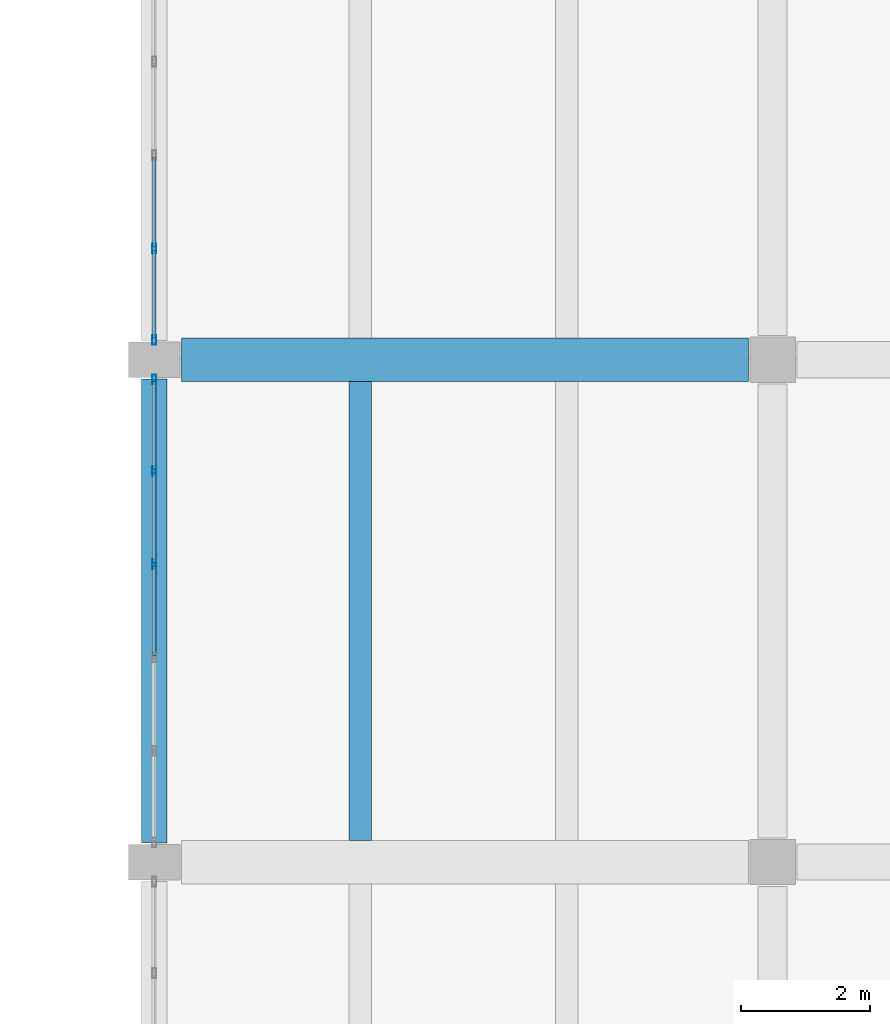
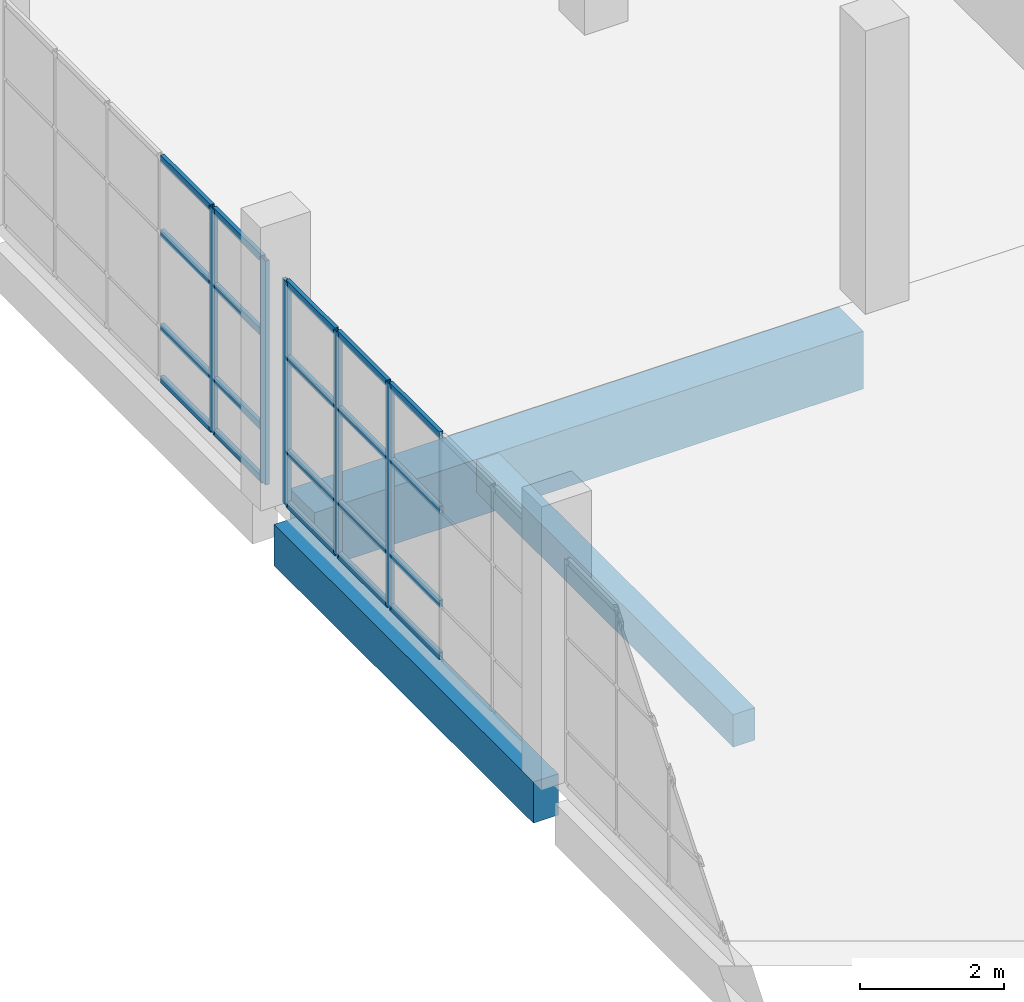
# One storey, part 56 of 91: 25 members, 3 beams, 2 elements without a shape of their own.
"""IFC4 building model written with IfcOpenShell, lengths in metres."""

from ifc_helpers import new_model, si_unit, direction, frame, origin, origin_2d, place, context, subcontext, project, spatial, rectangle, hollow_rectangle, extrude, material, material_profile, profile_set, type_object, element, aggregate, save


model = new_model("IFC4")

# Units and contexts
model_context = context("Model", 3, precision=1e-05, world=origin(), true_north=direction((0.0, 1.0)))
body_context = subcontext(model_context, "Body", "Model", "MODEL_VIEW")
ifc_project = project(units=[si_unit("LENGTHUNIT", "METRE"), si_unit("AREAUNIT", "SQUARE_METRE"), si_unit("VOLUMEUNIT", "CUBIC_METRE"), si_unit("PLANEANGLEUNIT", "RADIAN"), si_unit("MASSUNIT", "GRAM", prefix="KILO")], contexts=[model_context])

# Site, building, storey
site_placement = place(None, origin())
site = spatial("IfcSite", under=ifc_project, at=site_placement, CompositionType="ELEMENT")
building_placement = place(site_placement, origin())
building = spatial("IfcBuilding", under=site, at=building_placement, Name="Pellamere Symphony Hall", CompositionType="ELEMENT")
storey_placement = place(building_placement, frame((0.0, 0.0, 5.39990234375)))
storey = spatial("IfcBuildingStorey", under=building, at=storey_placement, Name="L01", CompositionType="ELEMENT", Elevation=5.39990234375)

# Curtain wall, members
ifc_material_1 = material(Name="Thermally Broken Anodised Aluminium 6063-T6 Curtain Wall", Category="aluminium")
curtain_wall_type = type_object("IfcCurtainWallType", Name="Curtain Wall CW-05 (Artists Wing North Studio Ribbon Curtain Wall)", PredefinedType="NOTDEFINED", material=ifc_material_1)
curtain_wall_1_placement = place(storey_placement, origin())
curtain_wall_1 = element("IfcCurtainWall", 1, at=curtain_wall_1_placement, inside=storey, type_object=curtain_wall_type, Name="Sculpture Court East Wing Curtain Wall (L01 Bay 2)", PredefinedType="NOTDEFINED")
ifc_material_2 = material(Name="Anodised Architectural Aluminium 6063-T6", Category="aluminium")
ifc_material_profile_1 = material_profile(ifc_material_2, hollow_rectangle(XDim=0.06005859375, YDim=0.14990234375, WallThickness=0.00390625, at=origin_2d()), Name="ALU-M60X150X4")
ifc_profile_set_1 = profile_set([ifc_material_profile_1], Name="Anodised Architectural Aluminium 6063-T6")
member_type_1 = type_object("IfcMemberType", Name="Curtain Wall Mullion ML-03 ALU-M60X150X4", PredefinedType="MULLION", material=ifc_profile_set_1)
member_1_placement = place(storey_placement, frame((138.0, 74.22509765625, 0.0), z_axis=(0.0, 0.0, 1.0), x_axis=(-1.0, 0.0, 0.0)))
member_1 = element("IfcMember", 2, at=member_1_placement, type_object=member_type_1, Name="CW5-133 crystal mullion 4", PredefinedType="MULLION", context=body_context, shape_type="SweptSolid", body=[
    extrude(hollow_rectangle(XDim=0.06005859375, YDim=0.14990234375, WallThickness=0.00390625, at=origin_2d()), origin(), (0.0, 0.0, 1.0), 3.800048828125),
])
member_2_placement = place(storey_placement, frame((138.0, 75.675048828125, 0.0), z_axis=(0.0, 0.0, 1.0), x_axis=(-1.0, 0.0, 0.0)))
member_2 = element("IfcMember", 3, at=member_2_placement, type_object=member_type_1, Name="CW5-133 crystal mullion 5", PredefinedType="MULLION", context=body_context, shape_type="SweptSolid", body=[
    extrude(hollow_rectangle(XDim=0.06005859375, YDim=0.14990234375, WallThickness=0.00390625, at=origin_2d()), origin(), (0.0, 0.0, 1.0), 3.800048828125),
])
member_3_placement = place(storey_placement, frame((138.0, 77.094970703125, 0.0), z_axis=(0.0, 0.0, 1.0), x_axis=(-1.0, 0.0, 0.0)))
member_3 = element("IfcMember", 4, at=member_3_placement, type_object=member_type_1, Name="CW5-133 crystal mullion 6", PredefinedType="MULLION", context=body_context, shape_type="SweptSolid", body=[
    extrude(hollow_rectangle(XDim=0.06005859375, YDim=0.14990234375, WallThickness=0.00390625, at=origin_2d()), origin(), (0.0, 0.0, 1.0), 3.800048828125),
])

curtain_wall_2_placement = place(storey_placement, origin())
curtain_wall_2 = element("IfcCurtainWall", 5, at=curtain_wall_2_placement, inside=storey, type_object=curtain_wall_type, Name="Sculpture Court East Wing Curtain Wall (L01 Bay 3)", PredefinedType="NOTDEFINED")
member_4_placement = place(storey_placement, frame((138.0, 77.705078125, 0.0), z_axis=(0.0, 0.0, 1.0), x_axis=(-1.0, 0.0, 0.0)))
member_4 = element("IfcMember", 6, at=member_4_placement, type_object=member_type_1, Name="CW5-134 crystal mullion 1", PredefinedType="MULLION", context=body_context, shape_type="SweptSolid", body=[
    extrude(hollow_rectangle(XDim=0.06005859375, YDim=0.14990234375, WallThickness=0.00390625, at=origin_2d()), origin(), (0.0, 0.0, 1.0), 3.800048828125),
])
member_5_placement = place(storey_placement, frame((138.0, 79.125, 0.0), z_axis=(0.0, 0.0, 1.0), x_axis=(-1.0, 0.0, 0.0)))
member_5 = element("IfcMember", 7, at=member_5_placement, type_object=member_type_1, Name="CW5-134 crystal mullion 2", PredefinedType="MULLION", context=body_context, shape_type="SweptSolid", body=[
    extrude(hollow_rectangle(XDim=0.06005859375, YDim=0.14990234375, WallThickness=0.00390625, at=origin_2d()), origin(), (0.0, 0.0, 1.0), 3.800048828125),
])

# Member
ifc_material_profile_2 = material_profile(ifc_material_2, hollow_rectangle(XDim=0.06005859375, YDim=0.1201171875, WallThickness=0.00390625, at=origin_2d()), Name="ALU-T60X120X4")
ifc_profile_set_2 = profile_set([ifc_material_profile_2], Name="Anodised Architectural Aluminium 6063-T6")
member_type_2 = type_object("IfcMemberType", Name="Curtain Wall Transom TR-03 ALU-T60X120X4", PredefinedType="USERDEFINED", material=ifc_profile_set_2)
member_6_placement = place(storey_placement, frame((138.0, 72.804931640625, 0.030029296875), z_axis=(0.0, 1.0, 0.0), x_axis=(-1.0, 0.0, 0.0)))
member_6 = element("IfcMember", 8, at=member_6_placement, type_object=member_type_2, Name="CW5-133 crystal transom 3.1", ObjectType="TRANSOM", PredefinedType="USERDEFINED", context=body_context, shape_type="SweptSolid", body=[
    extrude(hollow_rectangle(XDim=0.06005859375, YDim=0.1201171875, WallThickness=0.00390625, at=origin_2d()), origin(), (0.0, 0.0, 1.0), 1.39013671875),
])

member_7_placement = place(storey_placement, frame((138.0, 72.804931640625, 0.912109375), z_axis=(0.0, 1.0, 0.0), x_axis=(-1.0, 0.0, 0.0)))
member_7 = element("IfcMember", 9, at=member_7_placement, type_object=member_type_2, Name="CW5-133 crystal transom 3.2", ObjectType="TRANSOM", PredefinedType="USERDEFINED", context=body_context, shape_type="SweptSolid", body=[
    extrude(hollow_rectangle(XDim=0.06005859375, YDim=0.1201171875, WallThickness=0.00390625, at=origin_2d()), origin(), (0.0, 0.0, 1.0), 1.39013671875),
])

member_8_placement = place(storey_placement, frame((138.0, 72.804931640625, 2.508056640625), z_axis=(0.0, 1.0, 0.0), x_axis=(-1.0, 0.0, 0.0)))
member_8 = element("IfcMember", 10, at=member_8_placement, type_object=member_type_2, Name="CW5-133 crystal transom 3.3", ObjectType="TRANSOM", PredefinedType="USERDEFINED", context=body_context, shape_type="SweptSolid", body=[
    extrude(hollow_rectangle(XDim=0.06005859375, YDim=0.1201171875, WallThickness=0.00390625, at=origin_2d()), origin(), (0.0, 0.0, 1.0), 1.39013671875),
])

member_9_placement = place(storey_placement, frame((138.0, 72.804931640625, 3.77001953125), z_axis=(0.0, 1.0, 0.0), x_axis=(-1.0, 0.0, 0.0)))
member_9 = element("IfcMember", 11, at=member_9_placement, type_object=member_type_2, Name="CW5-133 crystal transom 3.4", ObjectType="TRANSOM", PredefinedType="USERDEFINED", context=body_context, shape_type="SweptSolid", body=[
    extrude(hollow_rectangle(XDim=0.06005859375, YDim=0.1201171875, WallThickness=0.00390625, at=origin_2d()), origin(), (0.0, 0.0, 1.0), 1.39013671875),
])

member_10_placement = place(storey_placement, frame((138.0, 74.2548828125, 0.030029296875), z_axis=(0.0, 1.0, 0.0), x_axis=(-1.0, 0.0, 0.0)))
member_10 = element("IfcMember", 12, at=member_10_placement, type_object=member_type_2, Name="CW5-133 crystal transom 4.1", ObjectType="TRANSOM", PredefinedType="USERDEFINED", context=body_context, shape_type="SweptSolid", body=[
    extrude(hollow_rectangle(XDim=0.06005859375, YDim=0.1201171875, WallThickness=0.00390625, at=origin_2d()), origin(), (0.0, 0.0, 1.0), 1.39013671875),
])

member_11_placement = place(storey_placement, frame((138.0, 74.2548828125, 0.912109375), z_axis=(0.0, 1.0, 0.0), x_axis=(-1.0, 0.0, 0.0)))
member_11 = element("IfcMember", 13, at=member_11_placement, type_object=member_type_2, Name="CW5-133 crystal transom 4.2", ObjectType="TRANSOM", PredefinedType="USERDEFINED", context=body_context, shape_type="SweptSolid", body=[
    extrude(hollow_rectangle(XDim=0.06005859375, YDim=0.1201171875, WallThickness=0.00390625, at=origin_2d()), origin(), (0.0, 0.0, 1.0), 1.39013671875),
])

member_12_placement = place(storey_placement, frame((138.0, 74.2548828125, 2.508056640625), z_axis=(0.0, 1.0, 0.0), x_axis=(-1.0, 0.0, 0.0)))
member_12 = element("IfcMember", 14, at=member_12_placement, type_object=member_type_2, Name="CW5-133 crystal transom 4.3", ObjectType="TRANSOM", PredefinedType="USERDEFINED", context=body_context, shape_type="SweptSolid", body=[
    extrude(hollow_rectangle(XDim=0.06005859375, YDim=0.1201171875, WallThickness=0.00390625, at=origin_2d()), origin(), (0.0, 0.0, 1.0), 1.39013671875),
])

member_13_placement = place(storey_placement, frame((138.0, 74.2548828125, 3.77001953125), z_axis=(0.0, 1.0, 0.0), x_axis=(-1.0, 0.0, 0.0)))
member_13 = element("IfcMember", 15, at=member_13_placement, type_object=member_type_2, Name="CW5-133 crystal transom 4.4", ObjectType="TRANSOM", PredefinedType="USERDEFINED", context=body_context, shape_type="SweptSolid", body=[
    extrude(hollow_rectangle(XDim=0.06005859375, YDim=0.1201171875, WallThickness=0.00390625, at=origin_2d()), origin(), (0.0, 0.0, 1.0), 1.39013671875),
])

member_14_placement = place(storey_placement, frame((138.0, 75.705078125, 0.030029296875), z_axis=(0.0, 1.0, 0.0), x_axis=(-1.0, 0.0, 0.0)))
member_14 = element("IfcMember", 16, at=member_14_placement, type_object=member_type_2, Name="CW5-133 crystal transom 5.1", ObjectType="TRANSOM", PredefinedType="USERDEFINED", context=body_context, shape_type="SweptSolid", body=[
    extrude(hollow_rectangle(XDim=0.06005859375, YDim=0.1201171875, WallThickness=0.00390625, at=origin_2d()), origin(), (0.0, 0.0, 1.0), 1.35986328125),
])

member_15_placement = place(storey_placement, frame((138.0, 75.705078125, 0.912109375), z_axis=(0.0, 1.0, 0.0), x_axis=(-1.0, 0.0, 0.0)))
member_15 = element("IfcMember", 17, at=member_15_placement, type_object=member_type_2, Name="CW5-133 crystal transom 5.2", ObjectType="TRANSOM", PredefinedType="USERDEFINED", context=body_context, shape_type="SweptSolid", body=[
    extrude(hollow_rectangle(XDim=0.06005859375, YDim=0.1201171875, WallThickness=0.00390625, at=origin_2d()), origin(), (0.0, 0.0, 1.0), 1.35986328125),
])

member_16_placement = place(storey_placement, frame((138.0, 75.705078125, 2.508056640625), z_axis=(0.0, 1.0, 0.0), x_axis=(-1.0, 0.0, 0.0)))
member_16 = element("IfcMember", 18, at=member_16_placement, type_object=member_type_2, Name="CW5-133 crystal transom 5.3", ObjectType="TRANSOM", PredefinedType="USERDEFINED", context=body_context, shape_type="SweptSolid", body=[
    extrude(hollow_rectangle(XDim=0.06005859375, YDim=0.1201171875, WallThickness=0.00390625, at=origin_2d()), origin(), (0.0, 0.0, 1.0), 1.35986328125),
])

member_17_placement = place(storey_placement, frame((138.0, 75.705078125, 3.77001953125), z_axis=(0.0, 1.0, 0.0), x_axis=(-1.0, 0.0, 0.0)))
member_17 = element("IfcMember", 19, at=member_17_placement, type_object=member_type_2, Name="CW5-133 crystal transom 5.4", ObjectType="TRANSOM", PredefinedType="USERDEFINED", context=body_context, shape_type="SweptSolid", body=[
    extrude(hollow_rectangle(XDim=0.06005859375, YDim=0.1201171875, WallThickness=0.00390625, at=origin_2d()), origin(), (0.0, 0.0, 1.0), 1.35986328125),
])

aggregate(curtain_wall_1, [member_1, member_2, member_3, member_6, member_7, member_8, member_9, member_10, member_11, member_12, member_13, member_14, member_15, member_16, member_17])

member_18_placement = place(storey_placement, frame((138.0, 77.735107421875, 0.030029296875), z_axis=(0.0, 1.0, 0.0), x_axis=(-1.0, 0.0, 0.0)))
member_18 = element("IfcMember", 20, at=member_18_placement, type_object=member_type_2, Name="CW5-134 crystal transom 1.1", ObjectType="TRANSOM", PredefinedType="USERDEFINED", context=body_context, shape_type="SweptSolid", body=[
    extrude(hollow_rectangle(XDim=0.06005859375, YDim=0.1201171875, WallThickness=0.00390625, at=origin_2d()), origin(), (0.0, 0.0, 1.0), 1.35986328125),
])

member_19_placement = place(storey_placement, frame((138.0, 77.735107421875, 0.912109375), z_axis=(0.0, 1.0, 0.0), x_axis=(-1.0, 0.0, 0.0)))
member_19 = element("IfcMember", 21, at=member_19_placement, type_object=member_type_2, Name="CW5-134 crystal transom 1.2", ObjectType="TRANSOM", PredefinedType="USERDEFINED", context=body_context, shape_type="SweptSolid", body=[
    extrude(hollow_rectangle(XDim=0.06005859375, YDim=0.1201171875, WallThickness=0.00390625, at=origin_2d()), origin(), (0.0, 0.0, 1.0), 1.35986328125),
])

member_20_placement = place(storey_placement, frame((138.0, 77.735107421875, 2.508056640625), z_axis=(0.0, 1.0, 0.0), x_axis=(-1.0, 0.0, 0.0)))
member_20 = element("IfcMember", 22, at=member_20_placement, type_object=member_type_2, Name="CW5-134 crystal transom 1.3", ObjectType="TRANSOM", PredefinedType="USERDEFINED", context=body_context, shape_type="SweptSolid", body=[
    extrude(hollow_rectangle(XDim=0.06005859375, YDim=0.1201171875, WallThickness=0.00390625, at=origin_2d()), origin(), (0.0, 0.0, 1.0), 1.35986328125),
])

member_21_placement = place(storey_placement, frame((138.0, 77.735107421875, 3.77001953125), z_axis=(0.0, 1.0, 0.0), x_axis=(-1.0, 0.0, 0.0)))
member_21 = element("IfcMember", 23, at=member_21_placement, type_object=member_type_2, Name="CW5-134 crystal transom 1.4", ObjectType="TRANSOM", PredefinedType="USERDEFINED", context=body_context, shape_type="SweptSolid", body=[
    extrude(hollow_rectangle(XDim=0.06005859375, YDim=0.1201171875, WallThickness=0.00390625, at=origin_2d()), origin(), (0.0, 0.0, 1.0), 1.35986328125),
])

member_22_placement = place(storey_placement, frame((138.0, 79.155029296875, 0.030029296875), z_axis=(0.0, 1.0, 0.0), x_axis=(-1.0, 0.0, 0.0)))
member_22 = element("IfcMember", 24, at=member_22_placement, type_object=member_type_2, Name="CW5-134 crystal transom 2.1", ObjectType="TRANSOM", PredefinedType="USERDEFINED", context=body_context, shape_type="SweptSolid", body=[
    extrude(hollow_rectangle(XDim=0.06005859375, YDim=0.1201171875, WallThickness=0.00390625, at=origin_2d()), origin(), (0.0, 0.0, 1.0), 1.389892578125),
])

member_23_placement = place(storey_placement, frame((138.0, 79.155029296875, 0.912109375), z_axis=(0.0, 1.0, 0.0), x_axis=(-1.0, 0.0, 0.0)))
member_23 = element("IfcMember", 25, at=member_23_placement, type_object=member_type_2, Name="CW5-134 crystal transom 2.2", ObjectType="TRANSOM", PredefinedType="USERDEFINED", context=body_context, shape_type="SweptSolid", body=[
    extrude(hollow_rectangle(XDim=0.06005859375, YDim=0.1201171875, WallThickness=0.00390625, at=origin_2d()), origin(), (0.0, 0.0, 1.0), 1.389892578125),
])

member_24_placement = place(storey_placement, frame((138.0, 79.155029296875, 2.508056640625), z_axis=(0.0, 1.0, 0.0), x_axis=(-1.0, 0.0, 0.0)))
member_24 = element("IfcMember", 26, at=member_24_placement, type_object=member_type_2, Name="CW5-134 crystal transom 2.3", ObjectType="TRANSOM", PredefinedType="USERDEFINED", context=body_context, shape_type="SweptSolid", body=[
    extrude(hollow_rectangle(XDim=0.06005859375, YDim=0.1201171875, WallThickness=0.00390625, at=origin_2d()), origin(), (0.0, 0.0, 1.0), 1.389892578125),
])

member_25_placement = place(storey_placement, frame((138.0, 79.155029296875, 3.77001953125), z_axis=(0.0, 1.0, 0.0), x_axis=(-1.0, 0.0, 0.0)))
member_25 = element("IfcMember", 27, at=member_25_placement, type_object=member_type_2, Name="CW5-134 crystal transom 2.4", ObjectType="TRANSOM", PredefinedType="USERDEFINED", context=body_context, shape_type="SweptSolid", body=[
    extrude(hollow_rectangle(XDim=0.06005859375, YDim=0.1201171875, WallThickness=0.00390625, at=origin_2d()), origin(), (0.0, 0.0, 1.0), 1.389892578125),
])

aggregate(curtain_wall_2, [member_4, member_5, member_18, member_19, member_20, member_21, member_22, member_23, member_24, member_25])

# Beams
ifc_material_3 = material(Name="Concrete 35 MPa", Category="concrete")
ifc_material_profile_3 = material_profile(ifc_material_3, rectangle(XDim=0.35009765625, YDim=0.550048828125, at=origin_2d()), Name="RC 350x550")
ifc_profile_set_3 = profile_set([ifc_material_profile_3], Name="Concrete 35 MPa")
beam_type_1 = type_object("IfcBeamType", Name="RC CB-10 350x550", PredefinedType="BEAM", material=ifc_profile_set_3)
beam_1_placement = place(storey_placement, frame((141.199951171875, 69.93994140625, -0.56982421875), z_axis=(0.0, 1.0, 0.0), x_axis=(-1.0, 0.0, 0.0)))
element("IfcBeam", 28, at=beam_1_placement, inside=storey, type_object=beam_type_1, Name="Secondary Floor Beam CB-10-A1709 (L01)", PredefinedType="BEAM", context=body_context, shape_type="SweptSolid", body=[
    extrude(rectangle(XDim=0.35009765625, YDim=0.550048828125, at=origin_2d()), origin(), (0.0, 0.0, 1.0), 7.1201171875),
])
ifc_material_4 = material(Name="Concrete 40 MPa", Category="concrete")
ifc_material_profile_4 = material_profile(ifc_material_4, rectangle(XDim=0.39990234375, YDim=0.699951171875, at=origin_2d()), Name="RC 400x700")
ifc_profile_set_4 = profile_set([ifc_material_profile_4], Name="Concrete 40 MPa")
beam_type_2 = type_object("IfcBeamType", Name="RC CB-13 400x700", PredefinedType="SPANDREL", material=ifc_profile_set_4)
beam_2_placement = place(storey_placement, frame((138.0, 69.89990234375, -0.6298828125), z_axis=(0.0, 1.0, 0.0), x_axis=(-1.0, 0.0, 0.0)))
element("IfcBeam", 29, at=beam_2_placement, inside=storey, type_object=beam_type_2, Name="Girder CB-13-Y0847 (L01)", PredefinedType="SPANDREL", context=body_context, shape_type="SweptSolid", body=[
    extrude(rectangle(XDim=0.39990234375, YDim=0.699951171875, at=origin_2d()), origin(), (0.0, 0.0, 1.0), 7.2001953125),
])
ifc_material_profile_5 = material_profile(ifc_material_4, rectangle(XDim=0.679931640625, YDim=0.97998046875, at=origin_2d()), Name="RC 680x980")
ifc_profile_set_5 = profile_set([ifc_material_profile_5], Name="Concrete 40 MPa")
beam_type_3 = type_object("IfcBeamType", Name="RC CB-22 680x980", PredefinedType="BEAM", material=ifc_profile_set_5)
beam_3_placement = place(storey_placement, frame((138.425048828125, 77.39990234375, -0.77001953125), z_axis=(1.0, 0.0, 0.0), x_axis=(0.0, 1.0, 0.0)))
element("IfcBeam", 30, at=beam_3_placement, inside=storey, type_object=beam_type_3, Name="Girder CB-22-X0669 (L01)", PredefinedType="BEAM", context=body_context, shape_type="SweptSolid", body=[
    extrude(rectangle(XDim=0.679931640625, YDim=0.97998046875, at=origin_2d()), origin(), (0.0, 0.0, 1.0), 8.800048828125),
])

save(model, "model.ifc")
